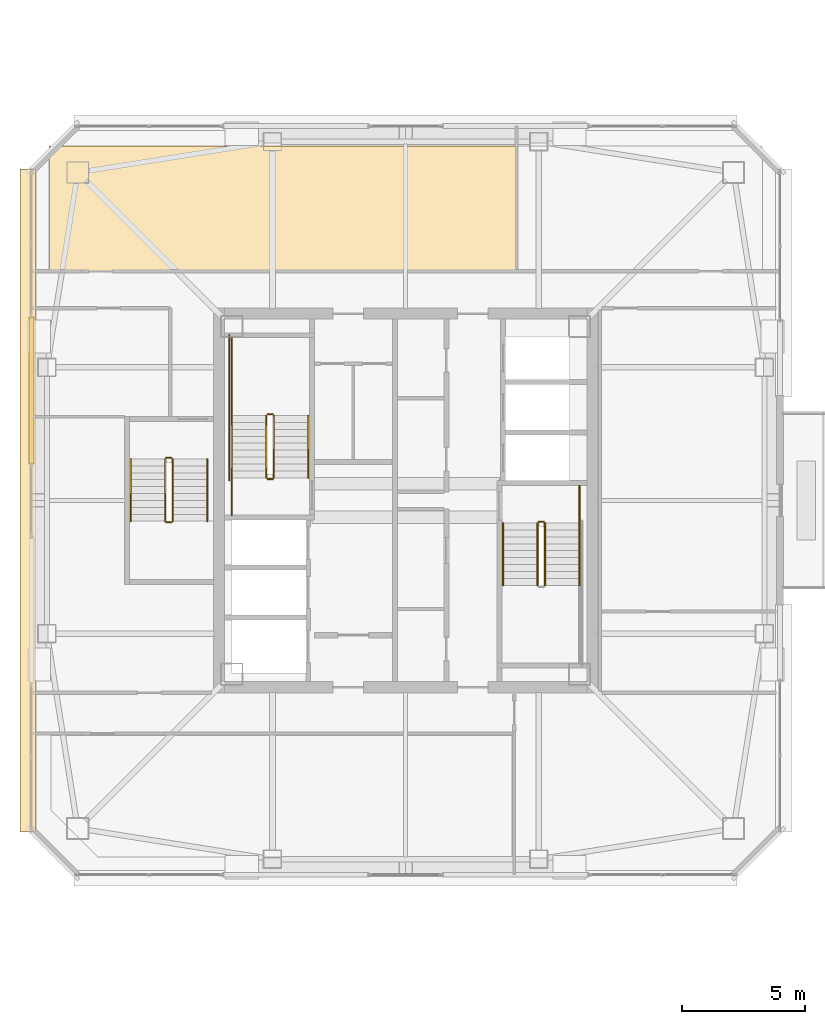
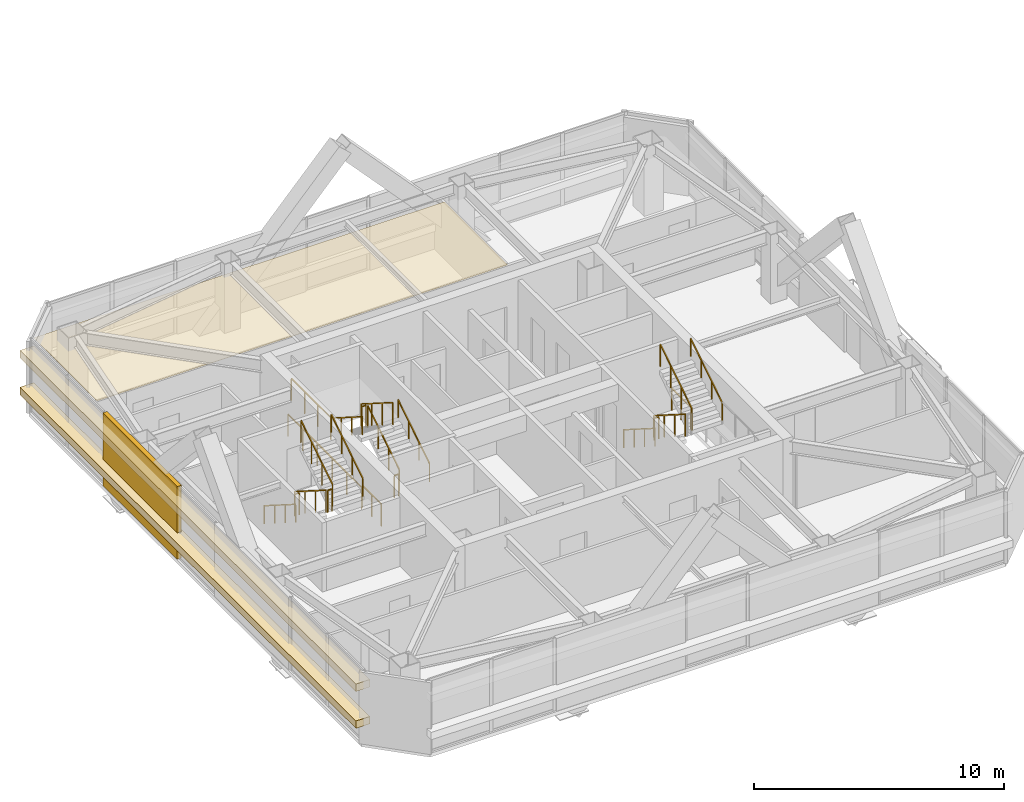
# One storey, part 23 of 24: 21 railings, 4 coverings.
"""IFC4 building model written with IfcOpenShell, lengths in metres."""

from ifc_helpers import new_model, si_unit, direction, frame, origin, origin_2d, place, context, subcontext, project, spatial, polyline, rectangle, outline, extrude, material, layer, layer_set, type_object, element, save


model = new_model("IFC4")

# Units and contexts
model_context = context("Model", 3, precision=1e-05, world=origin(), true_north=direction((0.0, 1.0)))
body_context = subcontext(model_context, "Body", "Model", "MODEL_VIEW")
ifc_project = project(units=[si_unit("LENGTHUNIT", "METRE"), si_unit("AREAUNIT", "SQUARE_METRE"), si_unit("VOLUMEUNIT", "CUBIC_METRE"), si_unit("PLANEANGLEUNIT", "RADIAN"), si_unit("MASSUNIT", "GRAM", prefix="KILO")], contexts=[model_context])

# Site, building, storey
site_placement = place(None, origin())
site = spatial("IfcSite", under=ifc_project, at=site_placement, CompositionType="ELEMENT")
building_placement = place(site_placement, origin())
building = spatial("IfcBuilding", under=site, at=building_placement, Name="Tashvorn Skyway Center", CompositionType="ELEMENT")
storey_placement = place(building_placement, frame((0.0, 0.0, 270.5)))
storey = spatial("IfcBuildingStorey", under=building, at=storey_placement, Name="L73", CompositionType="ELEMENT", Elevation=270.5)

# Coverings
ifc_material_1 = material(Name="Precast concrete C40/50", Category="concrete")
ifc_layer_1 = layer(ifc_material_1, 0.199951171875)
ifc_layer_set_1 = layer_set([ifc_layer_1], Name="Precast concrete C40/50")
covering_type_1 = type_object("IfcCoveringType", Name="COV-BRACE-CLAD", PredefinedType="CLADDING", material=ifc_layer_set_1)
covering_1_placement = place(storey_placement, frame((26.820068359375, 36.4599609375, 0.0), z_axis=(0.0, 0.0, 1.0), x_axis=(0.0, 1.0, 0.0)))
element("IfcCovering", 1, at=covering_1_placement, inside=storey, type_object=covering_type_1, Name="Tower 1 L73 West Unitised Curtain Wall Mega-Brace Cladding Band 2", PredefinedType="CLADDING", context=body_context, shape_type="SweptSolid", body=[
    extrude(rectangle(XDim=5.946533203125, YDim=0.199951171875, at=origin_2d()), origin(), (0.0, 0.0, 1.0), 3.550048828125),
])
ifc_material_2 = material(Name="Mineral-fibre acoustic ceiling tile on suspended grid")
ifc_layer_2 = layer(ifc_material_2, 0.02001953125)
ifc_layer_set_2 = layer_set([ifc_layer_2], Name="Mineral-fibre acoustic ceiling tile on suspended grid")
covering_type_2 = type_object("IfcCoveringType", Name="COV-CEIL-20", PredefinedType="CEILING", material=ifc_layer_set_2)
covering_2_placement = place(storey_placement, frame((0.0, 0.0, 2.702880859375)))
element("IfcCovering", 2, at=covering_2_placement, inside=storey, type_object=covering_type_2, Name="Tower 1 L73 Wellness Clinic Acoustic Ceiling", PredefinedType="CEILING", context=body_context, shape_type="SweptSolid", body=[
    extrude(outline(polyline([(27.530029296875, 41.300048828125), (46.5, 41.300048828125), (46.5, 46.3701171875), (27.530029296875, 46.3701171875), (27.530029296875, 41.300048828125)])), origin(), (0.0, 0.0, 1.0), 0.02001953125),
])
ifc_material_3 = material(Name="Perforated ceramic-coated bronze aluminium solar screen", Category="aluminium")
ifc_layer_3 = layer(ifc_material_3, 0.85009765625)
ifc_layer_set_3 = layer_set([ifc_layer_3], Name="Perforated ceramic-coated bronze aluminium solar screen")
covering_type_3 = type_object("IfcCoveringType", Name="COV-SOLAR-BAND", PredefinedType="CLADDING", material=ifc_layer_set_3)
for number, where, z_axis, x_axis, name in (
    (3, (26.679931640625, 32.0, 0.919921875), (0.0, 0.0, 1.0), (0.0, 1.0, 0.0), "L73 Perforated Ceramic-Metal Solar Screen Louvre Band West 1"),
    (4, (26.679931640625, 32.0, 2.7197265625), (0.0, 0.0, 1.0), (0.0, 1.0, 0.0), "L73 Perforated Ceramic-Metal Solar Screen Louvre Band West 2"),
):
    element("IfcCovering", number, at=place(storey_placement, frame(where, z_axis=z_axis, x_axis=x_axis)), inside=storey, type_object=covering_type_3, Name=name, PredefinedType="CLADDING", context=body_context, shape_type="SweptSolid", body=[
        extrude(rectangle(XDim=26.8798828125, YDim=0.639892578125, at=origin_2d()), origin(), (0.0, 0.0, 1.0), 0.360107421875),
    ])

# Railings
ifc_material_4 = material(Name="Brushed stainless steel 316", Category="steel")
railing_type_1 = type_object("IfcRailingType", Name="RAIL-HAND-920", PredefinedType="HANDRAIL", material=ifc_material_4)
railing_1_placement = place(storey_placement, frame((38.050048828125, 32.919921875, 0.177490234375)))
element("IfcRailing", 5, at=railing_1_placement, inside=storey, type_object=railing_type_1, Name="L73 ST-T1-1 stair handrail 1", PredefinedType="HANDRAIL", context=body_context, shape_type="SweptSolid", body=[
    extrude(rectangle(XDim=0.048095703125, YDim=0.048095703125, at=origin_2d()), frame((0.0, 0.0, 0.8759765625), z_axis=(0.0, 0.84460694969, 0.535386869969), x_axis=(-1.0, 0.0, 0.0)), (0.0, 0.0, 1.0), 2.983642578125),
    extrude(rectangle(XDim=0.0419921875, YDim=0.0419921875, at=origin_2d()), origin(), (0.0, 0.0, 1.0), 0.851806640625),
    extrude(rectangle(XDim=0.0419921875, YDim=0.0419921875, at=origin_2d()), frame((0.0, 0.840087890625, 0.532470703125)), (0.0, 0.0, 1.0), 0.851806640625),
    extrude(rectangle(XDim=0.0419921875, YDim=0.0419921875, at=origin_2d()), frame((0.0, 1.679931640625, 1.06494140625)), (0.0, 0.0, 1.0), 0.851806640625),
    extrude(rectangle(XDim=0.0419921875, YDim=0.0419921875, at=origin_2d()), frame((0.0, 2.52001953125, 1.597412109375)), (0.0, 0.0, 1.0), 0.851806640625),
])
railing_2_placement = place(storey_placement, frame((34.949951171875, 35.43994140625, 1.952392578125)))
element("IfcRailing", 6, at=railing_2_placement, inside=storey, type_object=railing_type_1, Name="L73 ST-T1-1 stair handrail 2", PredefinedType="HANDRAIL", context=body_context, shape_type="SweptSolid", body=[
    extrude(rectangle(XDim=0.048095703125, YDim=0.048095703125, at=origin_2d()), frame((0.0, 0.0, 0.8759765625), z_axis=(0.0, -0.84456994832, 0.535445237532), x_axis=(1.0, 0.0, 0.0)), (0.0, 0.0, 1.0), 2.98388671875),
    extrude(rectangle(XDim=0.0419921875, YDim=0.0419921875, at=origin_2d()), origin(), (0.0, 0.0, 1.0), 0.851806640625),
    extrude(rectangle(XDim=0.0419921875, YDim=0.0419921875, at=origin_2d()), frame((0.0, -0.840087890625, 0.532470703125)), (0.0, 0.0, 1.0), 0.851806640625),
    extrude(rectangle(XDim=0.0419921875, YDim=0.0419921875, at=origin_2d()), frame((0.0, -1.679931640625, 1.065185546875)), (0.0, 0.0, 1.0), 0.851806640625),
    extrude(rectangle(XDim=0.0419921875, YDim=0.0419921875, at=origin_2d()), frame((0.0, -2.52001953125, 1.59765625)), (0.0, 0.0, 1.0), 0.851806640625),
])
railing_3_placement = place(storey_placement, frame((45.949951171875, 31.080078125, 0.177490234375)))
element("IfcRailing", 7, at=railing_3_placement, inside=storey, type_object=railing_type_1, Name="L73 ST-T1-2 stair handrail 1", PredefinedType="HANDRAIL", context=body_context, shape_type="SweptSolid", body=[
    extrude(rectangle(XDim=0.048095703125, YDim=0.048095703125, at=origin_2d()), frame((0.0, 0.0, 0.8759765625), z_axis=(0.0, -0.84460694969, 0.535386869969), x_axis=(1.0, 0.0, 0.0)), (0.0, 0.0, 1.0), 2.983642578125),
    extrude(rectangle(XDim=0.0419921875, YDim=0.0419921875, at=origin_2d()), origin(), (0.0, 0.0, 1.0), 0.851806640625),
    extrude(rectangle(XDim=0.0419921875, YDim=0.0419921875, at=origin_2d()), frame((0.0, -0.840087890625, 0.532470703125)), (0.0, 0.0, 1.0), 0.851806640625),
    extrude(rectangle(XDim=0.0419921875, YDim=0.0419921875, at=origin_2d()), frame((0.0, -1.679931640625, 1.06494140625)), (0.0, 0.0, 1.0), 0.851806640625),
    extrude(rectangle(XDim=0.0419921875, YDim=0.0419921875, at=origin_2d()), frame((0.0, -2.52001953125, 1.597412109375)), (0.0, 0.0, 1.0), 0.851806640625),
])
railing_4_placement = place(storey_placement, frame((49.050048828125, 28.56005859375, 1.952392578125)))
element("IfcRailing", 8, at=railing_4_placement, inside=storey, type_object=railing_type_1, Name="L73 ST-T1-2 stair handrail 2", PredefinedType="HANDRAIL", context=body_context, shape_type="SweptSolid", body=[
    extrude(rectangle(XDim=0.048095703125, YDim=0.048095703125, at=origin_2d()), frame((0.0, 0.0, 0.8759765625), z_axis=(0.0, 0.84456994832, 0.535445237532), x_axis=(-1.0, 0.0, 0.0)), (0.0, 0.0, 1.0), 2.98388671875),
    extrude(rectangle(XDim=0.0419921875, YDim=0.0419921875, at=origin_2d()), origin(), (0.0, 0.0, 1.0), 0.851806640625),
    extrude(rectangle(XDim=0.0419921875, YDim=0.0419921875, at=origin_2d()), frame((0.0, 0.840087890625, 0.532470703125)), (0.0, 0.0, 1.0), 0.851806640625),
    extrude(rectangle(XDim=0.0419921875, YDim=0.0419921875, at=origin_2d()), frame((0.0, 1.679931640625, 1.065185546875)), (0.0, 0.0, 1.0), 0.851806640625),
    extrude(rectangle(XDim=0.0419921875, YDim=0.0419921875, at=origin_2d()), frame((0.0, 2.52001953125, 1.59765625)), (0.0, 0.0, 1.0), 0.851806640625),
])
railing_5_placement = place(storey_placement, frame((30.85009765625, 33.679931640625, 0.177490234375)))
element("IfcRailing", 9, at=railing_5_placement, inside=storey, type_object=railing_type_1, Name="L73 ST-T1-3 stair handrail 1", PredefinedType="HANDRAIL", context=body_context, shape_type="SweptSolid", body=[
    extrude(rectangle(XDim=0.048095703125, YDim=0.048095703125, at=origin_2d()), frame((0.0, 0.0, 0.8759765625), z_axis=(0.0, -0.84460694969, 0.535386869969), x_axis=(1.0, 0.0, 0.0)), (0.0, 0.0, 1.0), 2.983642578125),
    extrude(rectangle(XDim=0.0419921875, YDim=0.0419921875, at=origin_2d()), origin(), (0.0, 0.0, 1.0), 0.851806640625),
    extrude(rectangle(XDim=0.0419921875, YDim=0.0419921875, at=origin_2d()), frame((0.0, -0.840087890625, 0.532470703125)), (0.0, 0.0, 1.0), 0.851806640625),
    extrude(rectangle(XDim=0.0419921875, YDim=0.0419921875, at=origin_2d()), frame((0.0, -1.679931640625, 1.06494140625)), (0.0, 0.0, 1.0), 0.851806640625),
    extrude(rectangle(XDim=0.0419921875, YDim=0.0419921875, at=origin_2d()), frame((0.0, -2.52001953125, 1.597412109375)), (0.0, 0.0, 1.0), 0.851806640625),
])
railing_6_placement = place(storey_placement, frame((33.949951171875, 31.159912109375, 1.952392578125)))
element("IfcRailing", 10, at=railing_6_placement, inside=storey, type_object=railing_type_1, Name="L73 ST-T1-3 stair handrail 2", PredefinedType="HANDRAIL", context=body_context, shape_type="SweptSolid", body=[
    extrude(rectangle(XDim=0.048095703125, YDim=0.048095703125, at=origin_2d()), frame((0.0, 0.0, 0.8759765625), z_axis=(0.0, 0.84456994832, 0.535445237532), x_axis=(-1.0, 0.0, 0.0)), (0.0, 0.0, 1.0), 2.98388671875),
    extrude(rectangle(XDim=0.0419921875, YDim=0.0419921875, at=origin_2d()), origin(), (0.0, 0.0, 1.0), 0.851806640625),
    extrude(rectangle(XDim=0.0419921875, YDim=0.0419921875, at=origin_2d()), frame((0.0, 0.840087890625, 0.532470703125)), (0.0, 0.0, 1.0), 0.851806640625),
    extrude(rectangle(XDim=0.0419921875, YDim=0.0419921875, at=origin_2d()), frame((0.0, 1.679931640625, 1.065185546875)), (0.0, 0.0, 1.0), 0.851806640625),
    extrude(rectangle(XDim=0.0419921875, YDim=0.0419921875, at=origin_2d()), frame((0.0, 2.52001953125, 1.59765625)), (0.0, 0.0, 1.0), 0.851806640625),
])
ifc_material_5 = material(Name="Painted galvanized steel S355", Category="steel")
railing_type_2 = type_object("IfcRailingType", Name="RAIL-STGUARD-1100", PredefinedType="GUARDRAIL", material=ifc_material_5)
railing_7_placement = place(storey_placement, frame((36.64990234375, 32.919921875, 0.177490234375)))
element("IfcRailing", 11, at=railing_7_placement, inside=storey, type_object=railing_type_2, Name="L73 ST-T1-1 stair guard 1", PredefinedType="GUARDRAIL", context=body_context, shape_type="SweptSolid", body=[
    extrude(rectangle(XDim=0.048095703125, YDim=0.048095703125, at=origin_2d()), frame((0.0, 0.0, 1.076171875), z_axis=(0.0, 0.84460694969, 0.535386869969), x_axis=(-1.0, 0.0, 0.0)), (0.0, 0.0, 1.0), 2.983642578125),
    extrude(rectangle(XDim=0.0419921875, YDim=0.0419921875, at=origin_2d()), origin(), (0.0, 0.0, 1.0), 1.052001953125),
    extrude(rectangle(XDim=0.0419921875, YDim=0.0419921875, at=origin_2d()), frame((0.0, 0.840087890625, 0.532470703125)), (0.0, 0.0, 1.0), 1.052001953125),
    extrude(rectangle(XDim=0.0419921875, YDim=0.0419921875, at=origin_2d()), frame((0.0, 1.679931640625, 1.06494140625)), (0.0, 0.0, 1.0), 1.052001953125),
    extrude(rectangle(XDim=0.0419921875, YDim=0.0419921875, at=origin_2d()), frame((0.0, 2.52001953125, 1.597412109375)), (0.0, 0.0, 1.0), 1.052001953125),
])
railing_8_placement = place(storey_placement, frame((36.60009765625, 35.489990234375, 1.77490234375)))
element("IfcRailing", 12, at=railing_8_placement, inside=storey, type_object=railing_type_2, Name="L73 ST-T1-1 stair guard 2", PredefinedType="GUARDRAIL", context=body_context, shape_type="SweptSolid", body=[
    extrude(rectangle(XDim=0.048095703125, YDim=0.048095703125, at=origin_2d()), frame((0.0, 0.0, 1.076171875), z_axis=(-1.0, 0.0, 0.0), x_axis=(0.0, -1.0, 0.0)), (0.0, 0.0, 1.0), 0.2001953125),
    extrude(rectangle(XDim=0.0419921875, YDim=0.0419921875, at=origin_2d()), origin(), (0.0, 0.0, 1.0), 1.052001953125),
    extrude(rectangle(XDim=0.0419921875, YDim=0.0419921875, at=origin_2d()), frame((-0.2001953125, 0.0, 0.0)), (0.0, 0.0, 1.0), 1.052001953125),
])
railing_9_placement = place(storey_placement, frame((34.949951171875, 35.43994140625, 1.77490234375)))
element("IfcRailing", 13, at=railing_9_placement, inside=storey, type_object=railing_type_2, Name="L73 ST-T1-1 stair guard 3", PredefinedType="GUARDRAIL", context=body_context, shape_type="SweptSolid", body=[
    extrude(rectangle(XDim=0.048095703125, YDim=0.048095703125, at=origin_2d()), frame((0.0, 0.0, 1.076171875), z_axis=(0.0, 1.0, 0.0), x_axis=(-1.0, 0.0, 0.0)), (0.0, 0.0, 1.0), 3.16015625),
    extrude(rectangle(XDim=0.0419921875, YDim=0.0419921875, at=origin_2d()), origin(), (0.0, 0.0, 1.0), 1.052001953125),
    extrude(rectangle(XDim=0.0419921875, YDim=0.0419921875, at=origin_2d()), frame((0.0, 1.053466796875, 0.0)), (0.0, 0.0, 1.0), 1.052001953125),
    extrude(rectangle(XDim=0.0419921875, YDim=0.0419921875, at=origin_2d()), frame((0.0, 2.106689453125, 0.0)), (0.0, 0.0, 1.0), 1.052001953125),
    extrude(rectangle(XDim=0.0419921875, YDim=0.0419921875, at=origin_2d()), frame((0.0, 3.16015625, 0.0)), (0.0, 0.0, 1.0), 1.052001953125),
])
railing_10_placement = place(storey_placement, frame((36.35009765625, 35.43994140625, 1.952392578125)))
element("IfcRailing", 14, at=railing_10_placement, inside=storey, type_object=railing_type_2, Name="L73 ST-T1-1 stair guard 4", PredefinedType="GUARDRAIL", context=body_context, shape_type="SweptSolid", body=[
    extrude(rectangle(XDim=0.048095703125, YDim=0.048095703125, at=origin_2d()), frame((0.0, 0.0, 1.076171875), z_axis=(0.0, -0.84456994832, 0.535445237532), x_axis=(1.0, 0.0, 0.0)), (0.0, 0.0, 1.0), 2.98388671875),
    extrude(rectangle(XDim=0.0419921875, YDim=0.0419921875, at=origin_2d()), origin(), (0.0, 0.0, 1.0), 1.052001953125),
    extrude(rectangle(XDim=0.0419921875, YDim=0.0419921875, at=origin_2d()), frame((0.0, -0.840087890625, 0.532470703125)), (0.0, 0.0, 1.0), 1.052001953125),
    extrude(rectangle(XDim=0.0419921875, YDim=0.0419921875, at=origin_2d()), frame((0.0, -1.679931640625, 1.065185546875)), (0.0, 0.0, 1.0), 1.052001953125),
    extrude(rectangle(XDim=0.0419921875, YDim=0.0419921875, at=origin_2d()), frame((0.0, -2.52001953125, 1.59765625)), (0.0, 0.0, 1.0), 1.052001953125),
])
railing_11_placement = place(storey_placement, frame((36.60009765625, 32.8701171875, 0.0)))
element("IfcRailing", 15, at=railing_11_placement, inside=storey, type_object=railing_type_2, Name="L73 ST-T1-1 stair guard 5", PredefinedType="GUARDRAIL", context=body_context, shape_type="SweptSolid", body=[
    extrude(rectangle(XDim=0.048095703125, YDim=0.048095703125, at=origin_2d()), frame((0.0, 0.0, 1.076171875), z_axis=(-1.0, 0.0, 0.0), x_axis=(0.0, -1.0, 0.0)), (0.0, 0.0, 1.0), 0.2001953125),
    extrude(rectangle(XDim=0.0419921875, YDim=0.0419921875, at=origin_2d()), origin(), (0.0, 0.0, 1.0), 1.052001953125),
    extrude(rectangle(XDim=0.0419921875, YDim=0.0419921875, at=origin_2d()), frame((-0.2001953125, 0.0, 0.0)), (0.0, 0.0, 1.0), 1.052001953125),
])
railing_12_placement = place(storey_placement, frame((34.949951171875, 31.39990234375, 0.0)))
element("IfcRailing", 16, at=railing_12_placement, inside=storey, type_object=railing_type_2, Name="L73 ST-T1-1 stair guard 6", PredefinedType="GUARDRAIL", context=body_context, shape_type="SweptSolid", body=[
    extrude(rectangle(XDim=0.048095703125, YDim=0.048095703125, at=origin_2d()), frame((0.0, 0.0, 1.076171875), z_axis=(0.0, 1.0, 0.0), x_axis=(-1.0, 0.0, 0.0)), (0.0, 0.0, 1.0), 1.52001953125),
    extrude(rectangle(XDim=0.0419921875, YDim=0.0419921875, at=origin_2d()), origin(), (0.0, 0.0, 1.0), 1.052001953125),
    extrude(rectangle(XDim=0.0419921875, YDim=0.0419921875, at=origin_2d()), frame((0.0, 0.760009765625, 0.0)), (0.0, 0.0, 1.0), 1.052001953125),
    extrude(rectangle(XDim=0.0419921875, YDim=0.0419921875, at=origin_2d()), frame((0.0, 1.52001953125, 0.0)), (0.0, 0.0, 1.0), 1.052001953125),
])
railing_13_placement = place(storey_placement, frame((34.85009765625, 32.820068359375, 0.0)))
element("IfcRailing", 17, at=railing_13_placement, inside=storey, type_object=railing_type_2, Name="L73 ST-T1-1 stair guard 7", PredefinedType="GUARDRAIL", context=body_context, shape_type="SweptSolid", body=[
    extrude(rectangle(XDim=0.048095703125, YDim=0.048095703125, at=origin_2d()), frame((0.0, 0.0, 1.076171875), z_axis=(0.0, 1.0, 0.0), x_axis=(-1.0, 0.0, 0.0)), (0.0, 0.0, 1.0), 5.8798828125),
    extrude(rectangle(XDim=0.0419921875, YDim=0.0419921875, at=origin_2d()), origin(), (0.0, 0.0, 1.0), 1.052001953125),
    extrude(rectangle(XDim=0.0419921875, YDim=0.0419921875, at=origin_2d()), frame((0.0, 1.176025390625, 0.0)), (0.0, 0.0, 1.0), 1.052001953125),
    extrude(rectangle(XDim=0.0419921875, YDim=0.0419921875, at=origin_2d()), frame((0.0, 2.35205078125, 0.0)), (0.0, 0.0, 1.0), 1.052001953125),
    extrude(rectangle(XDim=0.0419921875, YDim=0.0419921875, at=origin_2d()), frame((0.0, 3.52783203125, 0.0)), (0.0, 0.0, 1.0), 1.052001953125),
    extrude(rectangle(XDim=0.0419921875, YDim=0.0419921875, at=origin_2d()), frame((0.0, 4.703857421875, 0.0)), (0.0, 0.0, 1.0), 1.052001953125),
    extrude(rectangle(XDim=0.0419921875, YDim=0.0419921875, at=origin_2d()), frame((0.0, 5.8798828125, 0.0)), (0.0, 0.0, 1.0), 1.052001953125),
])
railing_14_placement = place(storey_placement, frame((47.35009765625, 31.080078125, 0.177490234375)))
element("IfcRailing", 18, at=railing_14_placement, inside=storey, type_object=railing_type_2, Name="L73 ST-T1-2 stair guard 1", PredefinedType="GUARDRAIL", context=body_context, shape_type="SweptSolid", body=[
    extrude(rectangle(XDim=0.048095703125, YDim=0.048095703125, at=origin_2d()), frame((0.0, 0.0, 1.076171875), z_axis=(0.0, -0.84460694969, 0.535386869969), x_axis=(1.0, 0.0, 0.0)), (0.0, 0.0, 1.0), 2.983642578125),
    extrude(rectangle(XDim=0.0419921875, YDim=0.0419921875, at=origin_2d()), origin(), (0.0, 0.0, 1.0), 1.052001953125),
    extrude(rectangle(XDim=0.0419921875, YDim=0.0419921875, at=origin_2d()), frame((0.0, -0.840087890625, 0.532470703125)), (0.0, 0.0, 1.0), 1.052001953125),
    extrude(rectangle(XDim=0.0419921875, YDim=0.0419921875, at=origin_2d()), frame((0.0, -1.679931640625, 1.06494140625)), (0.0, 0.0, 1.0), 1.052001953125),
    extrude(rectangle(XDim=0.0419921875, YDim=0.0419921875, at=origin_2d()), frame((0.0, -2.52001953125, 1.597412109375)), (0.0, 0.0, 1.0), 1.052001953125),
])
railing_15_placement = place(storey_placement, frame((47.64990234375, 28.56005859375, 1.952392578125)))
element("IfcRailing", 19, at=railing_15_placement, inside=storey, type_object=railing_type_2, Name="L73 ST-T1-2 stair guard 4", PredefinedType="GUARDRAIL", context=body_context, shape_type="SweptSolid", body=[
    extrude(rectangle(XDim=0.048095703125, YDim=0.048095703125, at=origin_2d()), frame((0.0, 0.0, 1.076171875), z_axis=(0.0, 0.84456994832, 0.535445237532), x_axis=(-1.0, 0.0, 0.0)), (0.0, 0.0, 1.0), 2.98388671875),
    extrude(rectangle(XDim=0.0419921875, YDim=0.0419921875, at=origin_2d()), origin(), (0.0, 0.0, 1.0), 1.052001953125),
    extrude(rectangle(XDim=0.0419921875, YDim=0.0419921875, at=origin_2d()), frame((0.0, 0.840087890625, 0.532470703125)), (0.0, 0.0, 1.0), 1.052001953125),
    extrude(rectangle(XDim=0.0419921875, YDim=0.0419921875, at=origin_2d()), frame((0.0, 1.679931640625, 1.065185546875)), (0.0, 0.0, 1.0), 1.052001953125),
    extrude(rectangle(XDim=0.0419921875, YDim=0.0419921875, at=origin_2d()), frame((0.0, 2.52001953125, 1.59765625)), (0.0, 0.0, 1.0), 1.052001953125),
])
railing_16_placement = place(storey_placement, frame((47.39990234375, 31.1298828125, 0.0)))
element("IfcRailing", 20, at=railing_16_placement, inside=storey, type_object=railing_type_2, Name="L73 ST-T1-2 stair guard 5", PredefinedType="GUARDRAIL", context=body_context, shape_type="SweptSolid", body=[
    extrude(rectangle(XDim=0.048095703125, YDim=0.048095703125, at=origin_2d()), frame((0.0, 0.0, 1.076171875), z_axis=(1.0, 0.0, 0.0), x_axis=(0.0, 1.0, 0.0)), (0.0, 0.0, 1.0), 0.2001953125),
    extrude(rectangle(XDim=0.0419921875, YDim=0.0419921875, at=origin_2d()), origin(), (0.0, 0.0, 1.0), 1.052001953125),
    extrude(rectangle(XDim=0.0419921875, YDim=0.0419921875, at=origin_2d()), frame((0.2001953125, 0.0, 0.0)), (0.0, 0.0, 1.0), 1.052001953125),
])
railing_17_placement = place(storey_placement, frame((49.050048828125, 32.60009765625, 0.0)))
element("IfcRailing", 21, at=railing_17_placement, inside=storey, type_object=railing_type_2, Name="L73 ST-T1-2 stair guard 6", PredefinedType="GUARDRAIL", context=body_context, shape_type="SweptSolid", body=[
    extrude(rectangle(XDim=0.048095703125, YDim=0.048095703125, at=origin_2d()), frame((0.0, 0.0, 1.076171875), z_axis=(0.0, -1.0, 0.0), x_axis=(1.0, 0.0, 0.0)), (0.0, 0.0, 1.0), 1.52001953125),
    extrude(rectangle(XDim=0.0419921875, YDim=0.0419921875, at=origin_2d()), origin(), (0.0, 0.0, 1.0), 1.052001953125),
    extrude(rectangle(XDim=0.0419921875, YDim=0.0419921875, at=origin_2d()), frame((0.0, -0.760009765625, 0.0)), (0.0, 0.0, 1.0), 1.052001953125),
    extrude(rectangle(XDim=0.0419921875, YDim=0.0419921875, at=origin_2d()), frame((0.0, -1.52001953125, 0.0)), (0.0, 0.0, 1.0), 1.052001953125),
])
railing_18_placement = place(storey_placement, frame((32.25, 33.679931640625, 0.177490234375)))
element("IfcRailing", 22, at=railing_18_placement, inside=storey, type_object=railing_type_2, Name="L73 ST-T1-3 stair guard 1", PredefinedType="GUARDRAIL", context=body_context, shape_type="SweptSolid", body=[
    extrude(rectangle(XDim=0.048095703125, YDim=0.048095703125, at=origin_2d()), frame((0.0, 0.0, 1.076171875), z_axis=(0.0, -0.84460694969, 0.535386869969), x_axis=(1.0, 0.0, 0.0)), (0.0, 0.0, 1.0), 2.983642578125),
    extrude(rectangle(XDim=0.0419921875, YDim=0.0419921875, at=origin_2d()), origin(), (0.0, 0.0, 1.0), 1.052001953125),
    extrude(rectangle(XDim=0.0419921875, YDim=0.0419921875, at=origin_2d()), frame((0.0, -0.840087890625, 0.532470703125)), (0.0, 0.0, 1.0), 1.052001953125),
    extrude(rectangle(XDim=0.0419921875, YDim=0.0419921875, at=origin_2d()), frame((0.0, -1.679931640625, 1.06494140625)), (0.0, 0.0, 1.0), 1.052001953125),
    extrude(rectangle(XDim=0.0419921875, YDim=0.0419921875, at=origin_2d()), frame((0.0, -2.52001953125, 1.597412109375)), (0.0, 0.0, 1.0), 1.052001953125),
])
railing_19_placement = place(storey_placement, frame((32.300048828125, 31.110107421875, 1.77490234375)))
element("IfcRailing", 23, at=railing_19_placement, inside=storey, type_object=railing_type_2, Name="L73 ST-T1-3 stair guard 2", PredefinedType="GUARDRAIL", context=body_context, shape_type="SweptSolid", body=[
    extrude(rectangle(XDim=0.048095703125, YDim=0.048095703125, at=origin_2d()), frame((0.0, 0.0, 1.076171875), z_axis=(1.0, 0.0, 0.0), x_axis=(0.0, 1.0, 0.0)), (0.0, 0.0, 1.0), 0.199951171875),
    extrude(rectangle(XDim=0.0419921875, YDim=0.0419921875, at=origin_2d()), origin(), (0.0, 0.0, 1.0), 1.052001953125),
    extrude(rectangle(XDim=0.0419921875, YDim=0.0419921875, at=origin_2d()), frame((0.199951171875, 0.0, 0.0)), (0.0, 0.0, 1.0), 1.052001953125),
])
railing_20_placement = place(storey_placement, frame((32.550048828125, 31.159912109375, 1.952392578125)))
element("IfcRailing", 24, at=railing_20_placement, inside=storey, type_object=railing_type_2, Name="L73 ST-T1-3 stair guard 3", PredefinedType="GUARDRAIL", context=body_context, shape_type="SweptSolid", body=[
    extrude(rectangle(XDim=0.048095703125, YDim=0.048095703125, at=origin_2d()), frame((0.0, 0.0, 1.076171875), z_axis=(0.0, 0.84456994832, 0.535445237532), x_axis=(-1.0, 0.0, 0.0)), (0.0, 0.0, 1.0), 2.98388671875),
    extrude(rectangle(XDim=0.0419921875, YDim=0.0419921875, at=origin_2d()), origin(), (0.0, 0.0, 1.0), 1.052001953125),
    extrude(rectangle(XDim=0.0419921875, YDim=0.0419921875, at=origin_2d()), frame((0.0, 0.840087890625, 0.532470703125)), (0.0, 0.0, 1.0), 1.052001953125),
    extrude(rectangle(XDim=0.0419921875, YDim=0.0419921875, at=origin_2d()), frame((0.0, 1.679931640625, 1.065185546875)), (0.0, 0.0, 1.0), 1.052001953125),
    extrude(rectangle(XDim=0.0419921875, YDim=0.0419921875, at=origin_2d()), frame((0.0, 2.52001953125, 1.59765625)), (0.0, 0.0, 1.0), 1.052001953125),
])
railing_21_placement = place(storey_placement, frame((32.300048828125, 33.72998046875, 0.0)))
element("IfcRailing", 25, at=railing_21_placement, inside=storey, type_object=railing_type_2, Name="L73 ST-T1-3 stair guard 4", PredefinedType="GUARDRAIL", context=body_context, shape_type="SweptSolid", body=[
    extrude(rectangle(XDim=0.048095703125, YDim=0.048095703125, at=origin_2d()), frame((0.0, 0.0, 1.076171875), z_axis=(1.0, 0.0, 0.0), x_axis=(0.0, 1.0, 0.0)), (0.0, 0.0, 1.0), 0.199951171875),
    extrude(rectangle(XDim=0.0419921875, YDim=0.0419921875, at=origin_2d()), origin(), (0.0, 0.0, 1.0), 1.052001953125),
    extrude(rectangle(XDim=0.0419921875, YDim=0.0419921875, at=origin_2d()), frame((0.199951171875, 0.0, 0.0)), (0.0, 0.0, 1.0), 1.052001953125),
])

save(model, "model.ifc")
